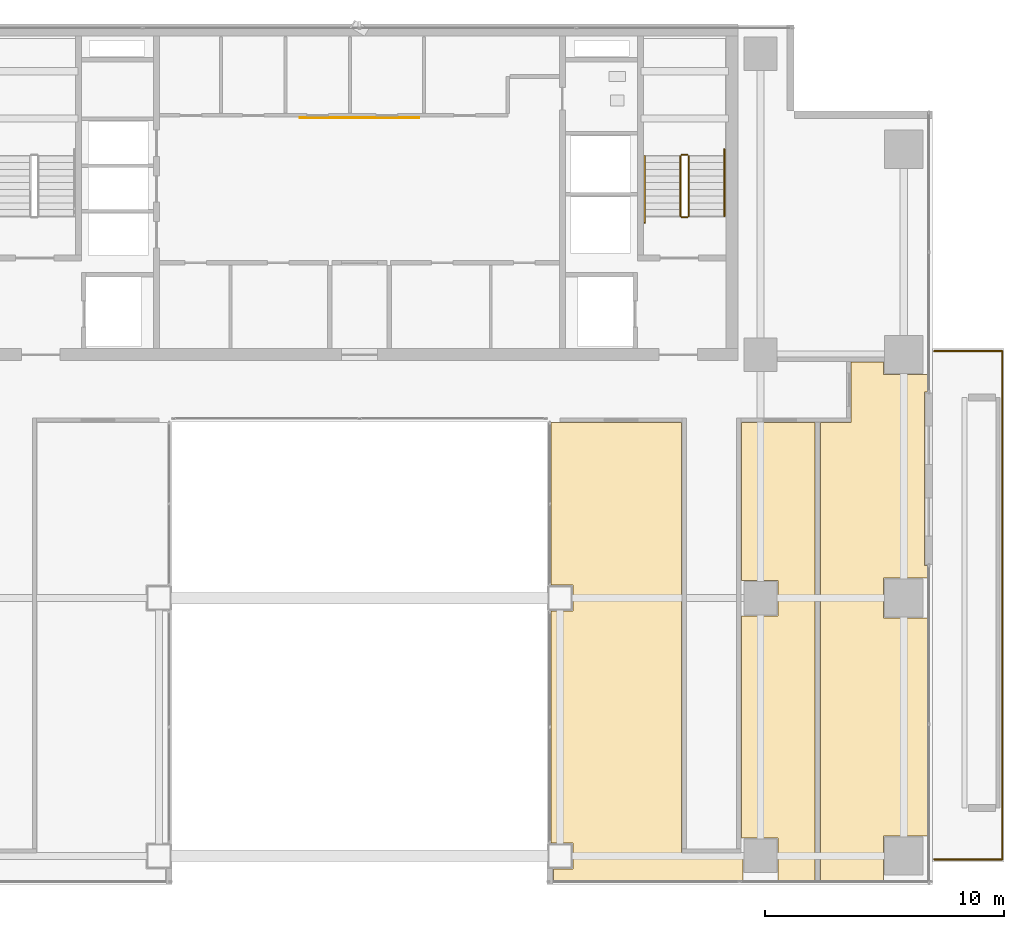
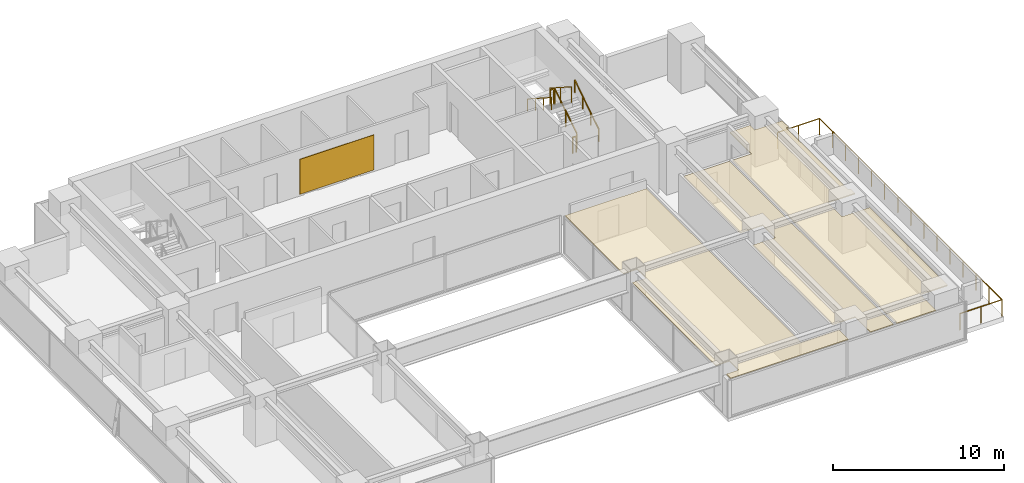
# One storey, part 30 of 32: 7 railings, 4 coverings.
"""IFC4 building model written with IfcOpenShell, lengths in metres."""

from ifc_helpers import new_model, si_unit, direction, frame, origin, origin_2d, place, context, subcontext, project, spatial, polyline, rectangle, outline, extrude, source, transform, mapped, material, layer, layer_set, type_object, element, save


model = new_model("IFC4")

# Units and contexts
model_context = context("Model", 3, precision=1e-05, world=origin(), true_north=direction((0.0, 1.0)))
body_context = subcontext(model_context, "Body", "Model", "MODEL_VIEW")
ifc_project = project(units=[si_unit("LENGTHUNIT", "METRE"), si_unit("AREAUNIT", "SQUARE_METRE"), si_unit("VOLUMEUNIT", "CUBIC_METRE"), si_unit("PLANEANGLEUNIT", "RADIAN"), si_unit("MASSUNIT", "GRAM", prefix="KILO")], contexts=[model_context])

# Site, building, storey
site_placement = place(None, origin())
site = spatial("IfcSite", under=ifc_project, at=site_placement, CompositionType="ELEMENT")
building_placement = place(site_placement, origin())
building = spatial("IfcBuilding", under=site, at=building_placement, Name="Sumidabori Civic Tower", CompositionType="ELEMENT")
storey_placement = place(building_placement, frame((0.0, 0.0, 225.199951171875)))
storey = spatial("IfcBuildingStorey", under=building, at=storey_placement, Name="L58", CompositionType="ELEMENT", Elevation=225.199951171875)

# Coverings
ifc_material_1 = material(Name="Gypsum Coffered Acoustic Ceiling")
ifc_layer_1 = layer(ifc_material_1, 0.06494140625, Name="Gypsum Coffered Acoustic Ceiling")
ifc_layer_set_1 = layer_set([ifc_layer_1], Name="Gypsum Coffered Acoustic Ceiling")
covering_type_1 = type_object("IfcCoveringType", Name="CV-CEIL-AC4", PredefinedType="CEILING", material=ifc_layer_set_1)
covering_1_placement = place(storey_placement, frame((0.0, 0.0, 2.630126953125)))
element("IfcCovering", 1, at=covering_1_placement, inside=storey, type_object=covering_type_1, Name="Room Acoustic Ceiling L58-02", PredefinedType="CEILING", context=body_context, shape_type="SweptSolid", body=[
    extrude(outline(polyline([(20.60009765625, 7.35009765625), (20.60009765625, 9.889892578125), (21.9599609375, 9.889892578125), (21.9599609375, 9.360107421875), (23.830078125, 9.360107421875), (23.830078125, 8.6279296875), (23.672119140625, 8.6279296875), (23.672119140625, 1.3720703125), (23.830078125, 1.3720703125), (23.830078125, 0.840087890625), (21.9599609375, 0.840087890625), (21.9599609375, -0.840087890625), (23.830078125, -0.840087890625), (23.830078125, -9.9599609375), (21.9599609375, -9.9599609375), (21.9599609375, -11.830078125), (19.31005859375, -11.830078125), (19.31005859375, 7.35009765625), (20.60009765625, 7.35009765625)])), origin(), (0.0, 0.0, 1.0), 0.06494140625),
])
covering_2_placement = place(storey_placement, frame((0.0, 0.0, 2.630126953125)))
element("IfcCovering", 2, at=covering_2_placement, inside=storey, type_object=covering_type_1, Name="Room Acoustic Ceiling L58-04", PredefinedType="CEILING", context=body_context, shape_type="SweptSolid", body=[
    extrude(outline(polyline([(17.5400390625, -10.06005859375), (16.0, -10.06005859375), (16.0, -0.739990234375), (17.5400390625, -0.739990234375), (17.5400390625, 0.739990234375), (16.0, 0.739990234375), (16.0, 7.35009765625), (19.090087890625, 7.35009765625), (19.090087890625, -11.830078125), (17.5400390625, -11.830078125), (17.5400390625, -10.06005859375)])), origin(), (0.0, 0.0, 1.0), 0.06494140625),
])
covering_3_placement = place(storey_placement, frame((0.0, 0.0, 2.630126953125)))
element("IfcCovering", 3, at=covering_3_placement, inside=storey, type_object=covering_type_1, Name="Room Acoustic Ceiling L58-06", PredefinedType="CEILING", context=body_context, shape_type="SweptSolid", body=[
    extrude(outline(polyline([(8.93994140625, -11.340087890625), (8.93994140625, -10.260009765625), (8.02001953125, -10.260009765625), (8.02001953125, -0.5400390625), (8.93994140625, -0.5400390625), (8.93994140625, 0.5400390625), (8.02001953125, 0.5400390625), (8.02001953125, 7.35009765625), (13.5, 7.35009765625), (13.5, -10.699951171875), (16.06005859375, -10.699951171875), (16.06005859375, -11.830078125), (8.117919921875, -11.830078125), (8.117919921875, -11.340087890625), (8.93994140625, -11.340087890625)])), origin(), (0.0, 0.0, 1.0), 0.06494140625),
])

# Railings
ifc_material_2 = material(Name="Stainless Steel Hairline Finish", Category="steel")
railing_type_1 = type_object("IfcRailingType", Name="RL-HANDRAIL", PredefinedType="HANDRAIL", material=ifc_material_2)
railing_1_placement = place(storey_placement, frame((15.2900390625, 16.0, 0.179931640625)))
element("IfcRailing", 4, at=railing_1_placement, inside=storey, type_object=railing_type_1, Name="L58 ST-2 stair handrail 1", PredefinedType="HANDRAIL", context=body_context, shape_type="SweptSolid", body=[
    extrude(rectangle(XDim=0.048095703125, YDim=0.048095703125, at=origin_2d()), frame((0.0, 0.0, 0.8759765625), z_axis=(0.0, 0.84064222762, 0.54159084662), x_axis=(-1.0, 0.0, 0.0)), (0.0, 0.0, 1.0), 3.330810546875),
    extrude(rectangle(XDim=0.0419921875, YDim=0.0419921875, at=origin_2d()), origin(), (0.0, 0.0, 1.0), 0.851806640625),
    extrude(rectangle(XDim=0.0419921875, YDim=0.0419921875, at=origin_2d()), frame((0.0, 0.933349609375, 0.601318359375)), (0.0, 0.0, 1.0), 0.851806640625),
    extrude(rectangle(XDim=0.0419921875, YDim=0.0419921875, at=origin_2d()), frame((0.0, 1.86669921875, 1.20263671875)), (0.0, 0.0, 1.0), 0.851806640625),
    extrude(rectangle(XDim=0.0419921875, YDim=0.0419921875, at=origin_2d()), frame((0.0, 2.800048828125, 1.803955078125)), (0.0, 0.0, 1.0), 0.851806640625),
])
railing_2_placement = place(storey_placement, frame((11.949951171875, 18.52001953125, 1.97998046875)))
element("IfcRailing", 5, at=railing_2_placement, inside=storey, type_object=railing_type_1, Name="L58 ST-2 stair handrail 2", PredefinedType="HANDRAIL", context=body_context, shape_type="SweptSolid", body=[
    extrude(rectangle(XDim=0.048095703125, YDim=0.048095703125, at=origin_2d()), frame((0.0, 0.0, 0.8759765625), z_axis=(0.0, -0.84064222762, 0.54159084662), x_axis=(1.0, 0.0, 0.0)), (0.0, 0.0, 1.0), 3.330810546875),
    extrude(rectangle(XDim=0.0419921875, YDim=0.0419921875, at=origin_2d()), origin(), (0.0, 0.0, 1.0), 0.851806640625),
    extrude(rectangle(XDim=0.0419921875, YDim=0.0419921875, at=origin_2d()), frame((0.0, -0.933349609375, 0.601318359375)), (0.0, 0.0, 1.0), 0.851806640625),
    extrude(rectangle(XDim=0.0419921875, YDim=0.0419921875, at=origin_2d()), frame((0.0, -1.86669921875, 1.20263671875)), (0.0, 0.0, 1.0), 0.851806640625),
    extrude(rectangle(XDim=0.0419921875, YDim=0.0419921875, at=origin_2d()), frame((0.0, -2.800048828125, 1.803955078125)), (0.0, 0.0, 1.0), 0.851806640625),
])
ifc_material_3 = material(Name="Anodised Bronze Aluminium AW-6063-T6", Category="aluminium")
railing_type_2 = type_object("IfcRailingType", Name="RL-POOL-1200", PredefinedType="BALUSTRADE", material=ifc_material_3)
railing_3_placement = place(storey_placement, frame((24.080078125, -10.949951171875, 0.0)))
element("IfcRailing", 6, at=railing_3_placement, inside=storey, type_object=railing_type_2, Name="Sky Pool Perimeter Safety Balustrade GR-2", PredefinedType="BALUSTRADE", context=body_context, shape_type="SweptSolid", body=[
    extrude(rectangle(XDim=0.048095703125, YDim=0.048095703125, at=origin_2d()), frame((0.0, 0.0, 1.17578125), z_axis=(1.0, 0.0, 0.0), x_axis=(0.0, 1.0, 0.0)), (0.0, 0.0, 1.0), 2.83984375),
    extrude(rectangle(XDim=0.048095703125, YDim=0.048095703125, at=origin_2d()), frame((2.83984375, 0.0, 1.17578125), z_axis=(0.0, 1.0, 0.0), x_axis=(-1.0, 0.0, 0.0)), (0.0, 0.0, 1.0), 21.300048828125),
    extrude(rectangle(XDim=0.048095703125, YDim=0.048095703125, at=origin_2d()), frame((2.83984375, 21.300048828125, 1.17578125), z_axis=(-1.0, 0.0, 0.0), x_axis=(0.0, -1.0, 0.0)), (0.0, 0.0, 1.0), 2.83984375),
    extrude(rectangle(XDim=0.0419921875, YDim=0.0419921875, at=origin_2d()), origin(), (0.0, 0.0, 1.0), 1.15185546875),
    extrude(rectangle(XDim=0.0419921875, YDim=0.0419921875, at=origin_2d()), frame((1.419921875, 0.0, 0.0)), (0.0, 0.0, 1.0), 1.15185546875),
    extrude(rectangle(XDim=0.0419921875, YDim=0.0419921875, at=origin_2d()), frame((2.83984375, 0.0, 0.0)), (0.0, 0.0, 1.0), 1.15185546875),
    extrude(rectangle(XDim=0.0419921875, YDim=0.0419921875, at=origin_2d()), frame((2.83984375, 1.521484375, 0.0)), (0.0, 0.0, 1.0), 1.15185546875),
    extrude(rectangle(XDim=0.0419921875, YDim=0.0419921875, at=origin_2d()), frame((2.83984375, 3.04296875, 0.0)), (0.0, 0.0, 1.0), 1.15185546875),
    extrude(rectangle(XDim=0.0419921875, YDim=0.0419921875, at=origin_2d()), frame((2.83984375, 4.564208984375, 0.0)), (0.0, 0.0, 1.0), 1.15185546875),
    extrude(rectangle(XDim=0.0419921875, YDim=0.0419921875, at=origin_2d()), frame((2.83984375, 6.085693359375, 0.0)), (0.0, 0.0, 1.0), 1.15185546875),
    extrude(rectangle(XDim=0.0419921875, YDim=0.0419921875, at=origin_2d()), frame((2.83984375, 7.607177734375, 0.0)), (0.0, 0.0, 1.0), 1.15185546875),
    extrude(rectangle(XDim=0.0419921875, YDim=0.0419921875, at=origin_2d()), frame((2.83984375, 9.128662109375, 0.0)), (0.0, 0.0, 1.0), 1.15185546875),
    extrude(rectangle(XDim=0.0419921875, YDim=0.0419921875, at=origin_2d()), frame((2.83984375, 10.64990234375, 0.0)), (0.0, 0.0, 1.0), 1.15185546875),
    extrude(rectangle(XDim=0.0419921875, YDim=0.0419921875, at=origin_2d()), frame((2.83984375, 12.17138671875, 0.0)), (0.0, 0.0, 1.0), 1.15185546875),
    extrude(rectangle(XDim=0.0419921875, YDim=0.0419921875, at=origin_2d()), frame((2.83984375, 13.69287109375, 0.0)), (0.0, 0.0, 1.0), 1.15185546875),
    extrude(rectangle(XDim=0.0419921875, YDim=0.0419921875, at=origin_2d()), frame((2.83984375, 15.21435546875, 0.0)), (0.0, 0.0, 1.0), 1.15185546875),
    extrude(rectangle(XDim=0.0419921875, YDim=0.0419921875, at=origin_2d()), frame((2.83984375, 16.73583984375, 0.0)), (0.0, 0.0, 1.0), 1.15185546875),
    extrude(rectangle(XDim=0.0419921875, YDim=0.0419921875, at=origin_2d()), frame((2.83984375, 18.257080078125, 0.0)), (0.0, 0.0, 1.0), 1.15185546875),
    extrude(rectangle(XDim=0.0419921875, YDim=0.0419921875, at=origin_2d()), frame((2.83984375, 19.778564453125, 0.0)), (0.0, 0.0, 1.0), 1.15185546875),
    extrude(rectangle(XDim=0.0419921875, YDim=0.0419921875, at=origin_2d()), frame((2.83984375, 21.300048828125, 0.0)), (0.0, 0.0, 1.0), 1.15185546875),
    extrude(rectangle(XDim=0.0419921875, YDim=0.0419921875, at=origin_2d()), frame((1.419921875, 21.300048828125, 0.0)), (0.0, 0.0, 1.0), 1.15185546875),
    extrude(rectangle(XDim=0.0419921875, YDim=0.0419921875, at=origin_2d()), frame((0.0, 21.300048828125, 0.0)), (0.0, 0.0, 1.0), 1.15185546875),
])
ifc_material_4 = material(Name="Steel SN490", Category="steel")
railing_type_3 = type_object("IfcRailingType", Name="RL-STAIR-GUARD", PredefinedType="GUARDRAIL", material=ifc_material_4)
railing_4_placement = place(storey_placement, frame((13.7900390625, 16.0, 0.179931640625)))
element("IfcRailing", 7, at=railing_4_placement, inside=storey, type_object=railing_type_3, Name="L58 ST-2 stair guard 1", PredefinedType="GUARDRAIL", context=body_context, shape_type="SweptSolid", body=[
    extrude(rectangle(XDim=0.048095703125, YDim=0.048095703125, at=origin_2d()), frame((0.0, 0.0, 1.1259765625), z_axis=(0.0, 0.841162588446, 0.540782303519), x_axis=(-1.0, 0.0, 0.0)), (0.0, 0.0, 1.0), 2.995849609375),
    extrude(rectangle(XDim=0.0419921875, YDim=0.0419921875, at=origin_2d()), origin(), (0.0, 0.0, 1.0), 1.101806640625),
    extrude(rectangle(XDim=0.0419921875, YDim=0.0419921875, at=origin_2d()), frame((0.0, 1.260009765625, 0.81005859375)), (0.0, 0.0, 1.0), 1.101806640625),
    extrude(rectangle(XDim=0.0419921875, YDim=0.0419921875, at=origin_2d()), frame((0.0, 2.52001953125, 1.6201171875)), (0.0, 0.0, 1.0), 1.101806640625),
])
railing_5_placement = place(storey_placement, frame((13.739990234375, 18.570068359375, 1.800048828125)))
element("IfcRailing", 8, at=railing_5_placement, inside=storey, type_object=railing_type_3, Name="L58 ST-2 stair guard 2", PredefinedType="GUARDRAIL", context=body_context, shape_type="SweptSolid", body=[
    extrude(rectangle(XDim=0.048095703125, YDim=0.048095703125, at=origin_2d()), frame((0.0, 0.0, 1.1259765625), z_axis=(-1.0, 0.0, 0.0), x_axis=(0.0, -1.0, 0.0)), (0.0, 0.0, 1.0), 0.239990234375),
    extrude(rectangle(XDim=0.0419921875, YDim=0.0419921875, at=origin_2d()), origin(), (0.0, 0.0, 1.0), 1.101806640625),
    extrude(rectangle(XDim=0.0419921875, YDim=0.0419921875, at=origin_2d()), frame((-0.239990234375, 0.0, 0.0)), (0.0, 0.0, 1.0), 1.101806640625),
])
railing_6_placement = place(storey_placement, frame((13.449951171875, 18.52001953125, 1.97998046875)))
element("IfcRailing", 9, at=railing_6_placement, inside=storey, type_object=railing_type_3, Name="L58 ST-2 stair guard 3", PredefinedType="GUARDRAIL", context=body_context, shape_type="SweptSolid", body=[
    extrude(rectangle(XDim=0.048095703125, YDim=0.048095703125, at=origin_2d()), frame((0.0, 0.0, 1.1259765625), z_axis=(0.0, -0.841162588446, 0.540782303519), x_axis=(1.0, 0.0, 0.0)), (0.0, 0.0, 1.0), 2.995849609375),
    extrude(rectangle(XDim=0.0419921875, YDim=0.0419921875, at=origin_2d()), origin(), (0.0, 0.0, 1.0), 1.101806640625),
    extrude(rectangle(XDim=0.0419921875, YDim=0.0419921875, at=origin_2d()), frame((0.0, -1.260009765625, 0.81005859375)), (0.0, 0.0, 1.0), 1.101806640625),
    extrude(rectangle(XDim=0.0419921875, YDim=0.0419921875, at=origin_2d()), frame((0.0, -2.52001953125, 1.6201171875)), (0.0, 0.0, 1.0), 1.101806640625),
])
railing_7_placement = place(storey_placement, frame((13.739990234375, 15.949951171875, 0.0)))
element("IfcRailing", 10, at=railing_7_placement, inside=storey, type_object=railing_type_3, Name="L58 ST-2 stair guard 4", PredefinedType="GUARDRAIL", context=body_context, shape_type="SweptSolid", body=[
    extrude(rectangle(XDim=0.048095703125, YDim=0.048095703125, at=origin_2d()), frame((0.0, 0.0, 1.1259765625), z_axis=(-1.0, 0.0, 0.0), x_axis=(0.0, -1.0, 0.0)), (0.0, 0.0, 1.0), 0.239990234375),
    extrude(rectangle(XDim=0.0419921875, YDim=0.0419921875, at=origin_2d()), origin(), (0.0, 0.0, 1.0), 1.101806640625),
    extrude(rectangle(XDim=0.0419921875, YDim=0.0419921875, at=origin_2d()), frame((-0.239990234375, 0.0, 0.0)), (0.0, 0.0, 1.0), 1.101806640625),
])

# Covering
ifc_material_5 = material(Name="Anodised Bronze Aluminium Core Cladding", Category="aluminium")
ifc_layer_2 = layer(ifc_material_5, 0.0400390625, Name="Anodised Bronze Aluminium Core Cladding")
ifc_layer_set_2 = layer_set([ifc_layer_2], Name="Anodised Bronze Aluminium Core Cladding")
covering_type_2 = type_object("IfcCoveringType", Name="CV-CLAD-BRZ", PredefinedType="CLADDING", material=ifc_layer_set_2)
shared_shape = source(origin(), body_context, "Body", "SweptSolid", [
    extrude(rectangle(XDim=5.0, YDim=0.0400390625, at=origin_2d()), origin(), (0.0, 0.0, 1.0), 2.5),
])
covering_4_placement = place(storey_placement, frame((0.0, 20.1201171875, 0.150146484375), z_axis=(0.0, 0.0, 1.0), x_axis=(1.0, 0.0, 0.0)))
element("IfcCovering", 11, at=covering_4_placement, inside=storey, type_object=covering_type_2, Name="Bronze Core Lobby Feature Cladding L58", PredefinedType="CLADDING", context=body_context, shape_type="MappedRepresentation", body=[
    mapped(shared_shape, transform((0.0, 0.0, 0.0), x_axis=(1.0, 0.0, 0.0), y_axis=(0.0, 1.0, 0.0), z_axis=(0.0, 0.0, 1.0), scale=1.0)),
])

save(model, "model.ifc")
